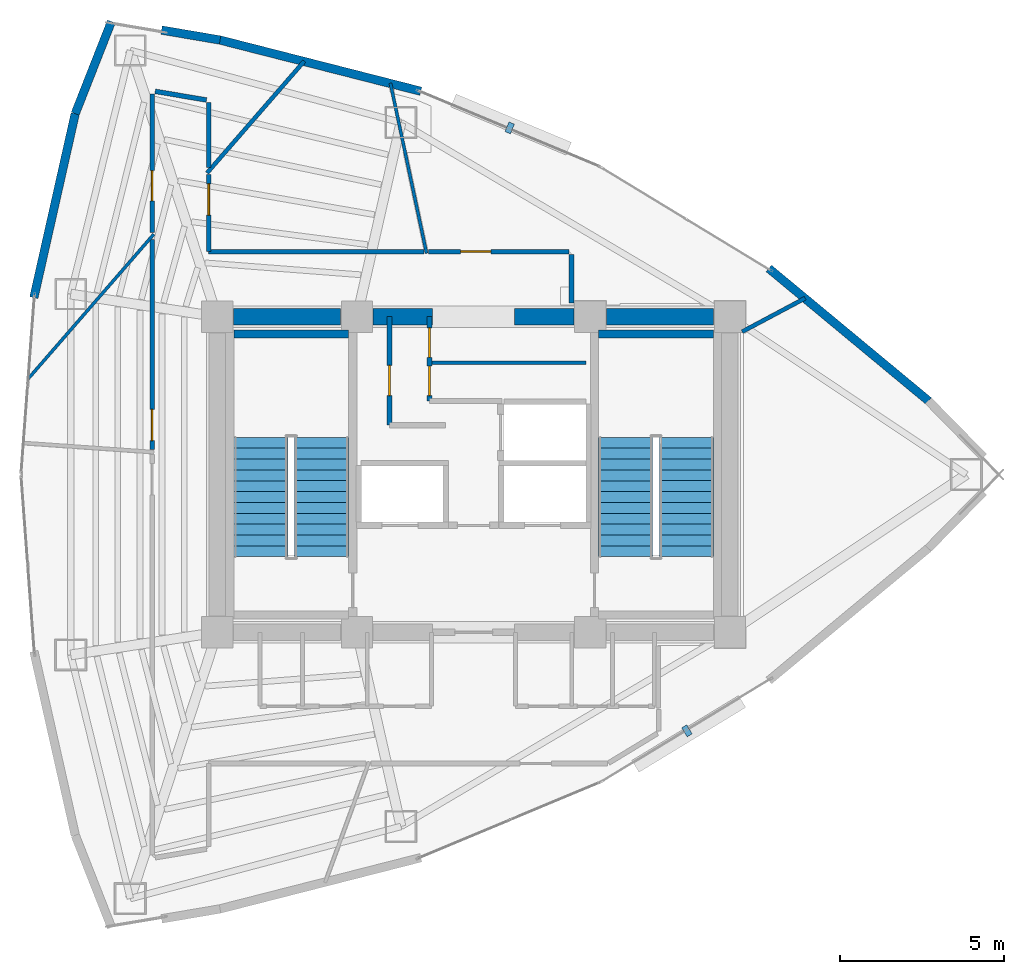
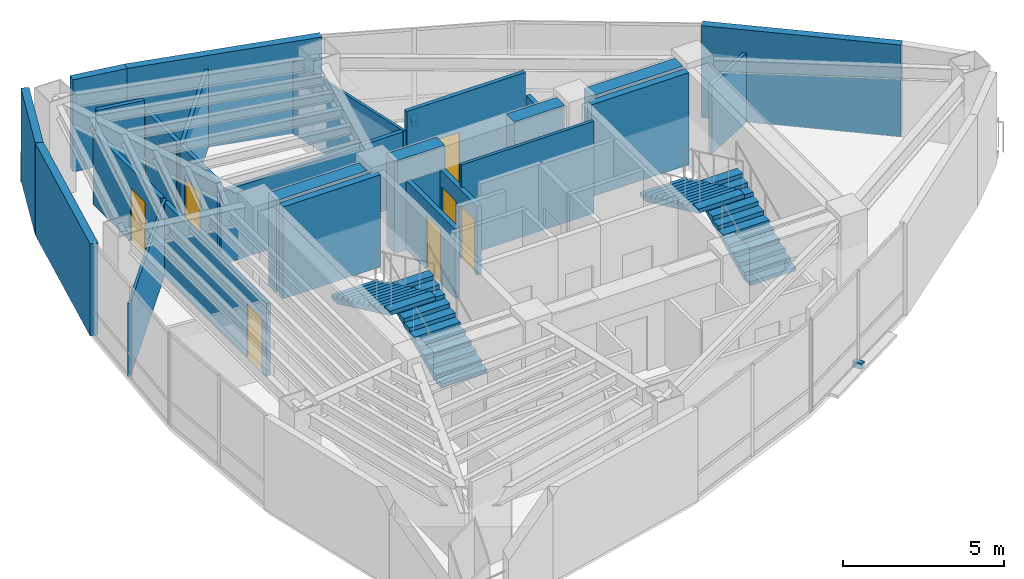
# One storey, part 13 of 15: 26 walls, 7 doors, 4 stair flights, 2 discrete accessories, 7 openings, 2 elements without a shape of their own.
"""IFC4 building model written with IfcOpenShell, lengths in metres."""

from ifc_helpers import new_model, si_unit, direction, frame, frame_2d, origin, origin_2d, place, context, subcontext, project, spatial, polyline, rectangle, outline, extrude, material, layer, layer_set, type_object, element, fill, aggregate, save


model = new_model("IFC4")

# Units and contexts
model_context = context("Model", 3, precision=1e-05, world=origin(), true_north=direction((0.0, 1.0)))
body_context = subcontext(model_context, "Body", "Model", "MODEL_VIEW")
ifc_project = project(units=[si_unit("LENGTHUNIT", "METRE"), si_unit("AREAUNIT", "SQUARE_METRE"), si_unit("VOLUMEUNIT", "CUBIC_METRE"), si_unit("PLANEANGLEUNIT", "RADIAN"), si_unit("MASSUNIT", "GRAM", prefix="KILO")], contexts=[model_context])

# Site, building, storey
site_placement = place(None, origin())
site = spatial("IfcSite", under=ifc_project, at=site_placement, CompositionType="ELEMENT")
building_placement = place(site_placement, origin())
building = spatial("IfcBuilding", under=site, at=building_placement, Name="Menara Vayukalpa", CompositionType="ELEMENT")
storey_placement = place(building_placement, frame((0.0, 0.0, 226.97998046875)))
storey = spatial("IfcBuildingStorey", under=building, at=storey_placement, Name="L57", CompositionType="ELEMENT", Elevation=226.97998046875)

# Walls
ifc_material_1 = material(Name="Concrete C60/75", Category="concrete")
ifc_layer_1 = layer(ifc_material_1, 0.5)
ifc_layer_set_1 = layer_set([ifc_layer_1], Name="Concrete C60/75")
wall_type_1 = type_object("IfcWallType", Name="WAL-CW500", PredefinedType="SHEAR", material=ifc_layer_set_1)
wall_1_placement = place(storey_placement, frame((18.294921875, 26.800048828125, 0.0), z_axis=(0.0, 0.0, 1.0), x_axis=(1.0, 0.0, 0.0)))
element("IfcWall", 1, at=wall_1_placement, inside=storey, type_object=wall_type_1, Name="L57 Buttressed Core Shear Wall CWN1", PredefinedType="SHEAR", context=body_context, shape_type="SweptSolid", body=[
    extrude(rectangle(XDim=3.260009765625, YDim=0.5, at=frame_2d((1.6298828125, 0.0))), origin(), (0.0, 0.0, 1.0), 3.5),
])
wall_2_placement = place(storey_placement, frame((22.544921875, 26.800048828125, 0.0), z_axis=(0.0, 0.0, 1.0), x_axis=(1.0, 0.0, 0.0)))
element("IfcWall", 2, at=wall_2_placement, inside=storey, type_object=wall_type_1, Name="L57 Buttressed Core Shear Wall CWN2", PredefinedType="SHEAR", context=body_context, shape_type="SweptSolid", body=[
    extrude(rectangle(XDim=1.80517578125, YDim=0.5, at=frame_2d((0.902587890625, 0.0))), origin(), (0.0, 0.0, 1.0), 3.5),
])
wall_3_placement = place(storey_placement, frame((26.85009765625, 26.800048828125, 0.0), z_axis=(0.0, 0.0, 1.0), x_axis=(1.0, 0.0, 0.0)))
element("IfcWall", 3, at=wall_3_placement, inside=storey, type_object=wall_type_1, Name="L57 Buttressed Core Shear Wall CWN3", PredefinedType="SHEAR", context=body_context, shape_type="SweptSolid", body=[
    extrude(rectangle(XDim=1.804931640625, YDim=0.5, at=frame_2d((0.90234375, 0.0))), origin(), (0.0, 0.0, 1.0), 3.5),
])
wall_4_placement = place(storey_placement, frame((29.64501953125, 26.800048828125, 0.0), z_axis=(0.0, 0.0, 1.0), x_axis=(1.0, 0.0, 0.0)))
element("IfcWall", 4, at=wall_4_placement, inside=storey, type_object=wall_type_1, Name="L57 Buttressed Core Shear Wall CWN4", PredefinedType="SHEAR", context=body_context, shape_type="SweptSolid", body=[
    extrude(rectangle(XDim=3.260009765625, YDim=0.5, at=frame_2d((1.6298828125, 0.0))), origin(), (0.0, 0.0, 1.0), 3.5),
])
ifc_material_2 = material(Name="Insulated Precast Concrete C40/50", Category="concrete")
ifc_layer_2 = layer(ifc_material_2, 0.260009765625)
ifc_layer_set_2 = layer_set([ifc_layer_2], Name="Insulated Precast Concrete C40/50")
wall_type_2 = type_object("IfcWallType", Name="WAL-EXT260", PredefinedType="PARTITIONING", material=ifc_layer_set_2)
wall_5_placement = place(storey_placement, frame((34.58251953125, 28.26953125, 0.0), z_axis=(0.0, 0.0, 1.0), x_axis=(0.769765373155, -0.638326930571, 0.0)))
element("IfcWall", 5, at=wall_5_placement, inside=storey, type_object=wall_type_2, Name="L57 Perimeter Terracotta Pier Wall 03", PredefinedType="PARTITIONING", context=body_context, shape_type="SweptSolid", body=[
    extrude(rectangle(XDim=6.3154296875, YDim=0.260009765625, at=frame_2d((3.15771484375, 0.0))), origin(), (0.0, 0.0, 1.0), 3.5),
])
wall_6_placement = place(storey_placement, frame((17.8759765625, 35.22216796875, 0.0), z_axis=(0.0, 0.0, 1.0), x_axis=(0.968976240439, -0.247153890246, 0.0)))
element("IfcWall", 6, at=wall_6_placement, inside=storey, type_object=wall_type_2, Name="L57 Perimeter Terracotta Pier Wall 06", PredefinedType="PARTITIONING", context=body_context, shape_type="SweptSolid", body=[
    extrude(rectangle(XDim=6.31494140625, YDim=0.260009765625, at=frame_2d((3.157470703125, 0.0))), origin(), (0.0, 0.0, 1.0), 3.5),
])
wall_7_placement = place(storey_placement, frame((16.10693359375, 35.52197265625, 0.0), z_axis=(0.0, 0.0, 1.0), x_axis=(0.985877723898, -0.167466753484, 0.0)))
element("IfcWall", 7, at=wall_7_placement, inside=storey, type_object=wall_type_2, Name="L57 Perimeter Terracotta Pier Wall 07", PredefinedType="PARTITIONING", context=body_context, shape_type="SweptSolid", body=[
    extrude(rectangle(XDim=1.80615234375, YDim=0.260009765625, at=frame_2d((0.903076171875, 0.0))), origin(), (0.0, 0.0, 1.0), 3.5),
])
wall_8_placement = place(storey_placement, frame((13.47900390625, 32.978515625, 0.0), z_axis=(0.0, 0.0, 1.0), x_axis=(0.365609724313, 0.930768246927, 0.0)))
element("IfcWall", 8, at=wall_8_placement, inside=storey, type_object=wall_type_2, Name="L57 Perimeter Terracotta Pier Wall 08", PredefinedType="PARTITIONING", context=body_context, shape_type="SweptSolid", body=[
    extrude(rectangle(XDim=3.010986328125, YDim=0.260009765625, at=frame_2d((1.50537109375, 0.0))), origin(), (0.0, 0.0, 1.0), 3.5),
])
wall_9_placement = place(storey_placement, frame((12.219970703125, 27.3818359375, 0.0), z_axis=(0.0, 0.0, 1.0), x_axis=(0.219475737697, 0.975617958303, 0.0)))
element("IfcWall", 9, at=wall_9_placement, inside=storey, type_object=wall_type_2, Name="L57 Perimeter Terracotta Pier Wall 09", PredefinedType="PARTITIONING", context=body_context, shape_type="SweptSolid", body=[
    extrude(rectangle(XDim=5.736572265625, YDim=0.260009765625, at=frame_2d((2.8681640625, 0.0))), origin(), (0.0, 0.0, 1.0), 3.5),
])

# Wall, opening, door
ifc_material_3 = material(Name="Lightweight Concrete Blockwork C16/20", Category="masonry")
ifc_layer_3 = layer(ifc_material_3, 0.159912109375)
ifc_layer_set_3 = layer_set([ifc_layer_3], Name="Lightweight Concrete Blockwork C16/20")
wall_type_3 = type_object("IfcWallType", Name="WAL-FR150", PredefinedType="PARTITIONING", material=ifc_layer_set_3)
wall_10_placement = place(storey_placement, frame((23.0400390625, 23.5, 0.0), z_axis=(0.0, 0.0, 1.0), x_axis=(0.0, 1.0, 0.0)))
wall_10 = element("IfcWall", 10, at=wall_10_placement, inside=storey, type_object=wall_type_3, Name="L57 Interior Partition IW-L57-LV7WB", PredefinedType="PARTITIONING", context=body_context, shape_type="SweptSolid", body=[
    extrude(rectangle(XDim=3.300048828125, YDim=0.159912109375, at=frame_2d((1.64990234375, 0.0))), origin(), (0.0, 0.0, 1.0), 2.630126953125),
])
opening_1_placement = place(wall_10_placement, frame((0.89990234375, 0.0, 0.0)))
opening_1 = element("IfcOpeningElement", 11, at=opening_1_placement, cuts=wall_10, Name="Opening ID6", PredefinedType="OPENING", context=body_context, shape_type="SweptSolid", body=[
    extrude(rectangle(XDim=0.919921875, YDim=2.050048828125, at=frame_2d((0.4599609375, 1.02490234375))), frame((0.0, 0.08984375, 0.0), z_axis=(0.0, -1.0, 0.0), x_axis=(1.0, 0.0, 0.0)), (0.0, 0.0, 1.0), 0.179931640625),
])
ifc_material_4 = material(Name="Acoustic Hardwood Veneer Timber Door", Category="wood")
door_type_1 = type_object("IfcDoorType", Name="DR-INT92", OperationType="NOTDEFINED", PredefinedType="DOOR", material=ifc_material_4)
door_1_placement = place(opening_1_placement, origin())
door_1 = element("IfcDoor", 12, at=door_1_placement, inside=storey, type_object=door_type_1, Name="L57 Interior Door DR-L57-LV7W", OperationType="SINGLE_SWING_RIGHT", OverallHeight=2.050048828125, OverallWidth=0.919921875, PredefinedType="DOOR", context=body_context, shape_type="SweptSolid", body=[
    extrude(rectangle(XDim=0.919921875, YDim=2.050048828125, at=frame_2d((0.4599609375, 1.02490234375))), frame((0.0, 0.02490234375, 0.0), z_axis=(0.0, -1.0, 0.0), x_axis=(1.0, 0.0, 0.0)), (0.0, 0.0, 1.0), 0.050048828125),
])
fill(opening_1, door_1)

# Wall, openings, doors
wall_11_placement = place(storey_placement, frame((24.260009765625, 24.239990234375, 0.0), z_axis=(0.0, 0.0, 1.0), x_axis=(0.0, 1.0, 0.0)))
wall_11 = element("IfcWall", 13, at=wall_11_placement, inside=storey, type_object=wall_type_3, Name="L57 Interior Partition IW-L57-LV7EB", PredefinedType="PARTITIONING", context=body_context, shape_type="SweptSolid", body=[
    extrude(rectangle(XDim=2.56005859375, YDim=0.159912109375, at=frame_2d((1.280029296875, 0.0))), origin(), (0.0, 0.0, 1.0), 2.630126953125),
])
opening_2_placement = place(wall_11_placement, frame((0.159912109375, 0.0, 0.0)))
opening_2 = element("IfcOpeningElement", 14, at=opening_2_placement, cuts=wall_11, Name="Opening ID7", PredefinedType="OPENING", context=body_context, shape_type="SweptSolid", body=[
    extrude(rectangle(XDim=0.89990234375, YDim=2.02001953125, at=frame_2d((0.449951171875, 1.010009765625))), frame((0.0, 0.08984375, 0.0), z_axis=(0.0, -1.0, 0.0), x_axis=(1.0, 0.0, 0.0)), (0.0, 0.0, 1.0), 0.179931640625),
])
opening_3_placement = place(wall_11_placement, frame((1.320068359375, 0.0, 0.0)))
opening_3 = element("IfcOpeningElement", 15, at=opening_3_placement, cuts=wall_11, Name="Opening ID7", PredefinedType="OPENING", context=body_context, shape_type="SweptSolid", body=[
    extrude(rectangle(XDim=0.89990234375, YDim=2.02001953125, at=frame_2d((0.449951171875, 1.010009765625))), frame((0.0, 0.08984375, 0.0), z_axis=(0.0, -1.0, 0.0), x_axis=(1.0, 0.0, 0.0)), (0.0, 0.0, 1.0), 0.179931640625),
])
ifc_material_5 = material(Name="Powder-Coated Steel Riser Access Door", Category="steel")
door_type_2 = type_object("IfcDoorType", Name="DR-RISER", OperationType="NOTDEFINED", PredefinedType="DOOR", material=ifc_material_5)
door_2_placement = place(opening_2_placement, origin())
door_2 = element("IfcDoor", 16, at=door_2_placement, inside=storey, type_object=door_type_2, Name="L57 Interior Door DR-L57-LV7E1", OperationType="SINGLE_SWING_LEFT", OverallHeight=2.02001953125, OverallWidth=0.89990234375, PredefinedType="DOOR", context=body_context, shape_type="SweptSolid", body=[
    extrude(rectangle(XDim=0.89990234375, YDim=2.02001953125, at=frame_2d((0.449951171875, 1.010009765625))), frame((0.0, 0.02490234375, 0.0), z_axis=(0.0, -1.0, 0.0), x_axis=(1.0, 0.0, 0.0)), (0.0, 0.0, 1.0), 0.050048828125),
])
fill(opening_2, door_2)
door_3_placement = place(opening_3_placement, origin())
door_3 = element("IfcDoor", 17, at=door_3_placement, inside=storey, type_object=door_type_2, Name="L57 Interior Door DR-L57-LV7E2", OperationType="SINGLE_SWING_RIGHT", OverallHeight=2.02001953125, OverallWidth=0.89990234375, PredefinedType="DOOR", context=body_context, shape_type="SweptSolid", body=[
    extrude(rectangle(XDim=0.89990234375, YDim=2.02001953125, at=frame_2d((0.449951171875, 1.010009765625))), frame((0.0, 0.02490234375, 0.0), z_axis=(0.0, -1.0, 0.0), x_axis=(1.0, 0.0, 0.0)), (0.0, 0.0, 1.0), 0.050048828125),
])
fill(opening_3, door_3)

# Walls
ifc_material_6 = material(Name="Glazed Demountable Office Partition", Category="glass")
ifc_layer_4 = layer(ifc_material_6, 0.094970703125)
ifc_layer_set_4 = layer_set([ifc_layer_4], Name="Glazed Demountable Office Partition")
wall_type_4 = type_object("IfcWallType", Name="WAL-PT100", PredefinedType="PARTITIONING", material=ifc_layer_set_4)
wall_12_placement = place(storey_placement, frame((24.16943359375, 28.72998046875, 0.0), z_axis=(0.0, 0.0, 1.0), x_axis=(-0.207906743577, 0.978148652289, 0.0)))
element("IfcWall", 18, at=wall_12_placement, inside=storey, type_object=wall_type_4, Name="L57 Interior Partition IW-L57-RDIV02", PredefinedType="PARTITIONING", context=body_context, shape_type="SweptSolid", body=[
    extrude(rectangle(XDim=5.293701171875, YDim=0.094970703125, at=frame_2d((2.64697265625, 0.0))), origin(), (0.0, 0.0, 1.0), 2.780029296875),
])
wall_13_placement = place(storey_placement, frame((15.8701171875, 29.310302734375, 0.0), z_axis=(0.0, 0.0, 1.0), x_axis=(-0.656058606017, -0.754709947908, 0.0)))
element("IfcWall", 19, at=wall_13_placement, inside=storey, type_object=wall_type_4, Name="L57 Interior Partition IW-L57-RDIV06", PredefinedType="PARTITIONING", context=body_context, shape_type="SweptSolid", body=[
    extrude(rectangle(XDim=5.837890625, YDim=0.094970703125, at=frame_2d((2.9189453125, 0.0))), origin(), (0.0, 0.0, 1.0), 2.780029296875),
])
ifc_material_7 = material(Name="Acoustic Mineral Stud Partition", Category="masonry")
ifc_layer_5 = layer(ifc_material_7, 0.110107421875)
ifc_layer_set_5 = layer_set([ifc_layer_5], Name="Acoustic Mineral Stud Partition")
wall_type_5 = type_object("IfcWallType", Name="WAL-PT110", PredefinedType="PARTITIONING", material=ifc_layer_set_5)
wall_14_placement = place(storey_placement, frame((24.260009765625, 25.39990234375, 0.0), z_axis=(0.0, 0.0, 1.0), x_axis=(1.0, 0.0, 0.0)))
element("IfcWall", 20, at=wall_14_placement, inside=storey, type_object=wall_type_5, Name="L57 Interior Partition IW-L57-LV7EM", PredefinedType="PARTITIONING", context=body_context, shape_type="SweptSolid", body=[
    extrude(rectangle(XDim=4.760009765625, YDim=0.110107421875, at=frame_2d((2.3798828125, 0.0))), origin(), (0.0, 0.0, 1.0), 3.5),
])
ifc_material_8 = material(Name="Gypsum Drywall Steel Stud Assembly", Category="steel")
ifc_layer_6 = layer(ifc_material_8, 0.125)
ifc_layer_set_6 = layer_set([ifc_layer_6], Name="Gypsum Drywall Steel Stud Assembly")
wall_type_6 = type_object("IfcWallType", Name="WAL-PT125", PredefinedType="PARTITIONING", material=ifc_layer_set_6)
wall_15_placement = place(storey_placement, frame((33.77001953125, 26.343994140625, 0.0), z_axis=(0.0, 0.0, 1.0), x_axis=(0.882914984083, 0.469532885837, 0.0)))
element("IfcWall", 21, at=wall_15_placement, inside=storey, type_object=wall_type_6, Name="L57 Interior Partition IW-L57-RDIV01", PredefinedType="PARTITIONING", context=body_context, shape_type="SweptSolid", body=[
    extrude(rectangle(XDim=2.174072265625, YDim=0.125, at=frame_2d((1.0869140625, 0.0))), origin(), (0.0, 0.0, 1.0), 2.630126953125),
])
wall_16_placement = place(storey_placement, frame((20.447998046875, 34.576416015625, 0.0), z_axis=(0.0, 0.0, 1.0), x_axis=(-0.656082183715, -0.754689451505, 0.0)))
element("IfcWall", 22, at=wall_16_placement, inside=storey, type_object=wall_type_6, Name="L57 Interior Partition IW-L57-RDIV05", PredefinedType="PARTITIONING", context=body_context, shape_type="SweptSolid", body=[
    extrude(rectangle(XDim=4.508544921875, YDim=0.125, at=frame_2d((2.25439453125, 0.0))), origin(), (0.0, 0.0, 1.0), 2.97998046875),
])
ifc_material_9 = material(Name="Gypsum Drywall Acoustic Stud Assembly", Category="masonry")
ifc_layer_7 = layer(ifc_material_9, 0.14501953125)
ifc_layer_set_7 = layer_set([ifc_layer_7], Name="Gypsum Drywall Acoustic Stud Assembly")
wall_type_7 = type_object("IfcWallType", Name="WAL-PT150", PredefinedType="PARTITIONING", material=ifc_layer_set_7)
wall_17_placement = place(storey_placement, frame((28.580078125, 27.219970703125, 0.0), z_axis=(0.0, 0.0, 1.0), x_axis=(0.0, 1.0, 0.0)))
element("IfcWall", 23, at=wall_17_placement, inside=storey, type_object=wall_type_7, Name="L57 Interior Partition IW-L57-CRM04-1", PredefinedType="PARTITIONING", context=body_context, shape_type="SweptSolid", body=[
    extrude(rectangle(XDim=1.47998046875, YDim=0.14501953125, at=frame_2d((0.739990234375, 0.0))), origin(), (0.0, 0.0, 1.0), 2.630126953125),
])

# Wall, opening, door
wall_18_placement = place(storey_placement, frame((28.5, 28.780029296875, 0.0), z_axis=(0.0, 0.0, 1.0), x_axis=(-1.0, 0.0, 0.0)))
wall_18 = element("IfcWall", 24, at=wall_18_placement, inside=storey, type_object=wall_type_7, Name="L57 Interior Partition IW-L57-CRM04-2", PredefinedType="PARTITIONING", context=body_context, shape_type="SweptSolid", body=[
    extrude(rectangle(XDim=4.26953125, YDim=0.14501953125, at=frame_2d((2.134765625, 0.0))), origin(), (0.0, 0.0, 1.0), 3.5),
])
opening_4_placement = place(wall_18_placement, frame((2.372314453125, 0.0, 0.0)))
opening_4 = element("IfcOpeningElement", 25, at=opening_4_placement, cuts=wall_18, Name="Opening ID6", PredefinedType="OPENING", context=body_context, shape_type="SweptSolid", body=[
    extrude(rectangle(XDim=0.919921875, YDim=2.050048828125, at=frame_2d((0.4599609375, 1.02490234375))), frame((0.0, 0.08251953125, 0.0), z_axis=(0.0, -1.0, 0.0), x_axis=(1.0, 0.0, 0.0)), (0.0, 0.0, 1.0), 0.1650390625),
])
door_4_placement = place(opening_4_placement, origin())
door_4 = element("IfcDoor", 26, at=door_4_placement, inside=storey, type_object=door_type_1, Name="L57 Interior Door DR-L57-RM04", OperationType="SINGLE_SWING_LEFT", OverallHeight=2.050048828125, OverallWidth=0.919921875, PredefinedType="DOOR", context=body_context, shape_type="SweptSolid", body=[
    extrude(rectangle(XDim=0.919921875, YDim=2.050048828125, at=frame_2d((0.4599609375, 1.02490234375))), frame((0.0, 0.02490234375, 0.0), z_axis=(0.0, -1.0, 0.0), x_axis=(1.0, 0.0, 0.0)), (0.0, 0.0, 1.0), 0.050048828125),
])
fill(opening_4, door_4)

# Wall
wall_19_placement = place(storey_placement, frame((24.08740234375, 28.780029296875, 0.0), z_axis=(0.0, 0.0, 1.0), x_axis=(-1.0, 0.0, 0.0)))
element("IfcWall", 27, at=wall_19_placement, inside=storey, type_object=wall_type_7, Name="L57 Interior Partition IW-L57-CRM05-1", PredefinedType="PARTITIONING", context=body_context, shape_type="SweptSolid", body=[
    extrude(rectangle(XDim=6.54736328125, YDim=0.14501953125, at=frame_2d((3.273681640625, 0.0))), origin(), (0.0, 0.0, 1.0), 2.780029296875),
])

# Wall, opening, door
wall_20_placement = place(storey_placement, frame((17.5400390625, 28.780029296875, 0.0), z_axis=(0.0, 0.0, 1.0), x_axis=(0.0, 1.0, 0.0)))
wall_20 = element("IfcWall", 28, at=wall_20_placement, inside=storey, type_object=wall_type_7, Name="L57 Interior Partition IW-L57-CRM05-2", PredefinedType="PARTITIONING", context=body_context, shape_type="SweptSolid", body=[
    extrude(rectangle(XDim=2.344970703125, YDim=0.14501953125, at=frame_2d((1.17236328125, 0.0))), origin(), (0.0, 0.0, 1.0), 3.130126953125),
])
opening_5_placement = place(wall_20_placement, frame((1.114990234375, 0.0, 0.0)))
opening_5 = element("IfcOpeningElement", 29, at=opening_5_placement, cuts=wall_20, Name="Opening ID5", PredefinedType="OPENING", context=body_context, shape_type="SweptSolid", body=[
    extrude(rectangle(XDim=0.949951171875, YDim=2.06005859375, at=frame_2d((0.47509765625, 1.030029296875))), frame((0.0, 0.08251953125, 0.0), z_axis=(0.0, -1.0, 0.0), x_axis=(1.0, 0.0, 0.0)), (0.0, 0.0, 1.0), 0.1650390625),
])
ifc_material_10 = material(Name="Acoustic Hardwood Veneer Timber Door", Category="wood")
door_type_3 = type_object("IfcDoorType", Name="DR-INT95", OperationType="NOTDEFINED", PredefinedType="DOOR", material=ifc_material_10)
door_5_placement = place(opening_5_placement, origin())
door_5 = element("IfcDoor", 30, at=door_5_placement, inside=storey, type_object=door_type_3, Name="L57 Interior Door DR-L57-RM05", OperationType="SINGLE_SWING_RIGHT", OverallHeight=2.06005859375, OverallWidth=0.949951171875, PredefinedType="DOOR", context=body_context, shape_type="SweptSolid", body=[
    extrude(rectangle(XDim=0.949951171875, YDim=2.06005859375, at=frame_2d((0.47509765625, 1.030029296875))), frame((0.0, 0.02490234375, 0.0), z_axis=(0.0, -1.0, 0.0), x_axis=(1.0, 0.0, 0.0)), (0.0, 0.0, 1.0), 0.050048828125),
])
fill(opening_5, door_5)

# Walls
wall_21_placement = place(storey_placement, frame((17.5400390625, 31.337890625, 0.0), z_axis=(0.0, 0.0, 1.0), x_axis=(0.0, 1.0, 0.0)))
element("IfcWall", 31, at=wall_21_placement, inside=storey, type_object=wall_type_7, Name="L57 Interior Partition IW-L57-CRM06-1", PredefinedType="PARTITIONING", context=body_context, shape_type="SweptSolid", body=[
    extrude(rectangle(XDim=1.976318359375, YDim=0.14501953125, at=frame_2d((0.98828125, 0.0))), origin(), (0.0, 0.0, 1.0), 3.130126953125),
])
wall_22_placement = place(storey_placement, frame((17.473388671875, 33.393310546875, 0.0), z_axis=(0.0, 0.0, 1.0), x_axis=(-0.985914419316, 0.167250583809, 0.0)))
element("IfcWall", 32, at=wall_22_placement, inside=storey, type_object=wall_type_7, Name="L57 Interior Partition IW-L57-CRM06-2", PredefinedType="PARTITIONING", context=body_context, shape_type="SweptSolid", body=[
    extrude(rectangle(XDim=1.582275390625, YDim=0.14501953125, at=frame_2d((0.791015625, 0.0))), origin(), (0.0, 0.0, 1.0), 3.5),
])

# Wall, opening, door
wall_23_placement = place(storey_placement, frame((15.820068359375, 33.5791015625, 0.0), z_axis=(0.0, 0.0, 1.0), x_axis=(0.0, -1.0, 0.0)))
wall_23 = element("IfcWall", 33, at=wall_23_placement, inside=storey, type_object=wall_type_7, Name="L57 Interior Partition IW-L57-CRM06-3", PredefinedType="PARTITIONING", context=body_context, shape_type="SweptSolid", body=[
    extrude(rectangle(XDim=4.219970703125, YDim=0.14501953125, at=frame_2d((2.10986328125, 0.0))), origin(), (0.0, 0.0, 1.0), 2.780029296875),
])
opening_6_placement = place(wall_23_placement, frame((2.3349609375, 0.0, 0.0)))
opening_6 = element("IfcOpeningElement", 34, at=opening_6_placement, cuts=wall_23, Name="Opening ID6", PredefinedType="OPENING", context=body_context, shape_type="SweptSolid", body=[
    extrude(rectangle(XDim=0.919921875, YDim=2.050048828125, at=frame_2d((0.4599609375, 1.02490234375))), frame((0.0, 0.08251953125, 0.0), z_axis=(0.0, -1.0, 0.0), x_axis=(1.0, 0.0, 0.0)), (0.0, 0.0, 1.0), 0.1650390625),
])
door_6_placement = place(opening_6_placement, origin())
door_6 = element("IfcDoor", 35, at=door_6_placement, inside=storey, type_object=door_type_1, Name="L57 Interior Door DR-L57-RM06", OperationType="SINGLE_SWING_LEFT", OverallHeight=2.050048828125, OverallWidth=0.919921875, PredefinedType="DOOR", context=body_context, shape_type="SweptSolid", body=[
    extrude(rectangle(XDim=0.919921875, YDim=2.050048828125, at=frame_2d((0.4599609375, 1.02490234375))), frame((0.0, 0.02490234375, 0.0), z_axis=(0.0, -1.0, 0.0), x_axis=(1.0, 0.0, 0.0)), (0.0, 0.0, 1.0), 0.050048828125),
])
fill(opening_6, door_6)

wall_24_placement = place(storey_placement, frame((15.820068359375, 29.14599609375, 0.0), z_axis=(0.0, 0.0, 1.0), x_axis=(0.0, -1.0, 0.0)))
wall_24 = element("IfcWall", 36, at=wall_24_placement, inside=storey, type_object=wall_type_7, Name="L57 Interior Partition IW-L57-CRM07-1", PredefinedType="PARTITIONING", context=body_context, shape_type="SweptSolid", body=[
    extrude(rectangle(XDim=6.391845703125, YDim=0.14501953125, at=frame_2d((3.19580078125, 0.0))), origin(), (0.0, 0.0, 1.0), 2.780029296875),
])
opening_7_placement = place(wall_24_placement, frame((5.161865234375, 0.0, 0.0)))
opening_7 = element("IfcOpeningElement", 37, at=opening_7_placement, cuts=wall_24, Name="Opening ID5", PredefinedType="OPENING", context=body_context, shape_type="SweptSolid", body=[
    extrude(rectangle(XDim=0.949951171875, YDim=2.06005859375, at=frame_2d((0.47509765625, 1.030029296875))), frame((0.0, 0.08251953125, 0.0), z_axis=(0.0, -1.0, 0.0), x_axis=(1.0, 0.0, 0.0)), (0.0, 0.0, 1.0), 0.1650390625),
])
door_7_placement = place(opening_7_placement, origin())
door_7 = element("IfcDoor", 38, at=door_7_placement, inside=storey, type_object=door_type_3, Name="L57 Interior Door DR-L57-RM07", OperationType="SINGLE_SWING_RIGHT", OverallHeight=2.06005859375, OverallWidth=0.949951171875, PredefinedType="DOOR", context=body_context, shape_type="SweptSolid", body=[
    extrude(rectangle(XDim=0.949951171875, YDim=2.06005859375, at=frame_2d((0.47509765625, 1.030029296875))), frame((0.0, 0.02490234375, 0.0), z_axis=(0.0, -1.0, 0.0), x_axis=(1.0, 0.0, 0.0)), (0.0, 0.0, 1.0), 0.050048828125),
])
fill(opening_7, door_7)

# Walls
ifc_material_11 = material(Name="Concrete C50/60", Category="concrete")
ifc_layer_8 = layer(ifc_material_11, 0.25)
ifc_layer_set_8 = layer_set([ifc_layer_8], Name="Concrete C50/60")
wall_type_8 = type_object("IfcWallType", Name="WAL-SW250", PredefinedType="SHEAR", material=ifc_layer_set_8)
for number, where, z_axis, x_axis, name in (
    (39, (18.303955078125, 26.27490234375, 0.0), (0.0, 0.0, 1.0), (1.0, 0.0, 0.0), "L57 ST1 Structural Stair Shaft Wall N"),
    (40, (29.39990234375, 26.27490234375, 0.0), (0.0, 0.0, 1.0), (1.0, 0.0, 0.0), "L57 ST2 Structural Stair Shaft Wall N"),
):
    element("IfcWall", number, at=place(storey_placement, frame(where, z_axis=z_axis, x_axis=x_axis)), inside=storey, type_object=wall_type_8, Name=name, PredefinedType="SHEAR", context=body_context, shape_type="SweptSolid", body=[
        extrude(rectangle(XDim=3.49609375, YDim=0.25, at=frame_2d((1.748046875, 0.0))), origin(), (0.0, 0.0, 1.0), 3.5),
    ])

# Stair, stair flights
ifc_material_12 = material(Name="Precast Concrete C40/50", Category="concrete")
stair_type = type_object("IfcStairType", Name="STR-T04", PredefinedType="DOUBLE_RETURN_STAIR", material=ifc_material_12)
stair_1_placement = place(storey_placement, origin())
stair_1 = element("IfcStair", 41, at=stair_1_placement, inside=storey, type_object=stair_type, Name="L57 Core Exit Stair ST-1", PredefinedType="DOUBLE_RETURN_STAIR")
ifc_material_13 = material(Name="Precast Concrete C40/50", Category="concrete")
stair_flight_type = type_object("IfcStairFlightType", Name="STF-T04", PredefinedType="STRAIGHT", material=ifc_material_13)
stair_flight_1_placement = place(storey_placement, frame((20.97509765625, 19.5, 0.0), z_axis=(0.0, 0.0, 1.0), x_axis=(0.0, 1.0, 0.0)))
stair_flight_1 = element("IfcStairFlight", 42, at=stair_flight_1_placement, type_object=stair_flight_type, Name="ST-1 flight 1", NumberOfRisers=12, NumberOfTreads=11, PredefinedType="STRAIGHT", RiserHeight=0.155, TreadLength=0.33, context=body_context, shape_type="SweptSolid", body=[
    extrude(outline(polyline([(0.0, 0.0), (0.0, 0.155029296875), (0.330078125, 0.155029296875), (0.330078125, 0.31005859375), (0.659912109375, 0.31005859375), (0.659912109375, 0.465087890625), (0.989990234375, 0.465087890625), (0.989990234375, 0.6201171875), (1.320068359375, 0.6201171875), (1.320068359375, 0.77490234375), (1.64990234375, 0.77490234375), (1.64990234375, 0.929931640625), (1.97998046875, 0.929931640625), (1.97998046875, 1.0849609375), (2.31005859375, 1.0849609375), (2.31005859375, 1.239990234375), (2.639892578125, 1.239990234375), (2.639892578125, 1.39501953125), (2.969970703125, 1.39501953125), (2.969970703125, 1.550048828125), (3.300048828125, 1.550048828125), (3.300048828125, 1.705078125), (3.6298828125, 1.705078125), (3.6298828125, 1.860107421875), (3.6298828125, 1.539306640625), (0.3525390625, 0.0), (0.0, 0.0)])), frame((0.0, 0.824951171875, 0.0), z_axis=(0.0, -1.0, 0.0), x_axis=(1.0, 0.0, 0.0)), (0.0, 0.0, 1.0), 1.64990234375),
])
stair_flight_2_placement = place(storey_placement, frame((19.125, 23.1298828125, 1.860107421875), z_axis=(0.0, 0.0, 1.0), x_axis=(0.0, -1.0, 0.0)))
stair_flight_2 = element("IfcStairFlight", 43, at=stair_flight_2_placement, type_object=stair_flight_type, Name="ST-1 flight 2", NumberOfRisers=12, NumberOfTreads=11, PredefinedType="STRAIGHT", RiserHeight=0.155, TreadLength=0.33, context=body_context, shape_type="SweptSolid", body=[
    extrude(outline(polyline([(0.0, 0.0), (0.0, 0.155029296875), (0.330078125, 0.155029296875), (0.330078125, 0.31005859375), (0.659912109375, 0.31005859375), (0.659912109375, 0.465087890625), (0.989990234375, 0.465087890625), (0.989990234375, 0.6201171875), (1.320068359375, 0.6201171875), (1.320068359375, 0.77490234375), (1.64990234375, 0.77490234375), (1.64990234375, 0.929931640625), (1.97998046875, 0.929931640625), (1.97998046875, 1.0849609375), (2.31005859375, 1.0849609375), (2.31005859375, 1.239990234375), (2.639892578125, 1.239990234375), (2.639892578125, 1.39501953125), (2.969970703125, 1.39501953125), (2.969970703125, 1.550048828125), (3.300048828125, 1.550048828125), (3.300048828125, 1.705078125), (3.6298828125, 1.705078125), (3.6298828125, 1.860107421875), (3.6298828125, 1.539306640625), (0.3525390625, 0.0), (0.0, 0.0)])), frame((0.0, 0.824951171875, 0.0), z_axis=(0.0, -1.0, 0.0), x_axis=(1.0, 0.0, 0.0)), (0.0, 0.0, 1.0), 1.64990234375),
])
aggregate(stair_1, [stair_flight_1, stair_flight_2])

stair_2_placement = place(storey_placement, origin())
stair_2 = element("IfcStair", 44, at=stair_2_placement, inside=storey, type_object=stair_type, Name="L57 Core Exit Stair ST-2", PredefinedType="DOUBLE_RETURN_STAIR")
stair_flight_3_placement = place(storey_placement, frame((32.074951171875, 19.5, 0.0), z_axis=(0.0, 0.0, 1.0), x_axis=(0.0, 1.0, 0.0)))
stair_flight_3 = element("IfcStairFlight", 45, at=stair_flight_3_placement, type_object=stair_flight_type, Name="ST-2 flight 1", NumberOfRisers=12, NumberOfTreads=11, PredefinedType="STRAIGHT", RiserHeight=0.155, TreadLength=0.33, context=body_context, shape_type="SweptSolid", body=[
    extrude(outline(polyline([(0.0, 0.0), (0.0, 0.155029296875), (0.330078125, 0.155029296875), (0.330078125, 0.31005859375), (0.659912109375, 0.31005859375), (0.659912109375, 0.465087890625), (0.989990234375, 0.465087890625), (0.989990234375, 0.6201171875), (1.320068359375, 0.6201171875), (1.320068359375, 0.77490234375), (1.64990234375, 0.77490234375), (1.64990234375, 0.929931640625), (1.97998046875, 0.929931640625), (1.97998046875, 1.0849609375), (2.31005859375, 1.0849609375), (2.31005859375, 1.239990234375), (2.639892578125, 1.239990234375), (2.639892578125, 1.39501953125), (2.969970703125, 1.39501953125), (2.969970703125, 1.550048828125), (3.300048828125, 1.550048828125), (3.300048828125, 1.705078125), (3.6298828125, 1.705078125), (3.6298828125, 1.860107421875), (3.6298828125, 1.539306640625), (0.3525390625, 0.0), (0.0, 0.0)])), frame((0.0, 0.824951171875, 0.0), z_axis=(0.0, -1.0, 0.0), x_axis=(1.0, 0.0, 0.0)), (0.0, 0.0, 1.0), 1.64990234375),
])
stair_flight_4_placement = place(storey_placement, frame((30.22509765625, 23.1298828125, 1.860107421875), z_axis=(0.0, 0.0, 1.0), x_axis=(0.0, -1.0, 0.0)))
stair_flight_4 = element("IfcStairFlight", 46, at=stair_flight_4_placement, type_object=stair_flight_type, Name="ST-2 flight 2", NumberOfRisers=12, NumberOfTreads=11, PredefinedType="STRAIGHT", RiserHeight=0.155, TreadLength=0.33, context=body_context, shape_type="SweptSolid", body=[
    extrude(outline(polyline([(0.0, 0.0), (0.0, 0.155029296875), (0.330078125, 0.155029296875), (0.330078125, 0.31005859375), (0.659912109375, 0.31005859375), (0.659912109375, 0.465087890625), (0.989990234375, 0.465087890625), (0.989990234375, 0.6201171875), (1.320068359375, 0.6201171875), (1.320068359375, 0.77490234375), (1.64990234375, 0.77490234375), (1.64990234375, 0.929931640625), (1.97998046875, 0.929931640625), (1.97998046875, 1.0849609375), (2.31005859375, 1.0849609375), (2.31005859375, 1.239990234375), (2.639892578125, 1.239990234375), (2.639892578125, 1.39501953125), (2.969970703125, 1.39501953125), (2.969970703125, 1.550048828125), (3.300048828125, 1.550048828125), (3.300048828125, 1.705078125), (3.6298828125, 1.705078125), (3.6298828125, 1.860107421875), (3.6298828125, 1.539306640625), (0.3525390625, 0.0), (0.0, 0.0)])), frame((0.0, 0.824951171875, 0.0), z_axis=(0.0, -1.0, 0.0), x_axis=(1.0, 0.0, 0.0)), (0.0, 0.0, 1.0), 1.64990234375),
])
aggregate(stair_2, [stair_flight_3, stair_flight_4])

# Discrete accessories
ifc_material_14 = material(Name="Stainless Steel 316 Sunshade Bracket", Category="steel")
discrete_accessory_type = type_object("IfcDiscreteAccessoryType", Name="ACC-BRK1", PredefinedType="BRACKET", material=ifc_material_14)
for number, where, z_axis, x_axis, name in (
    (47, (26.69775390625, 32.5458984375, -0.16015625), (0.0, 0.0, 1.0), (-0.922538089456, 0.385906042324, 0.0), "L57 Terracotta Sunshade Bracket 05"),
    (48, (32.091064453125, 14.20068359375, -0.16015625), (0.0, 0.0, 1.0), (0.85466730962, 0.519176068272, 0.0), "L57 Terracotta Sunshade Bracket 17"),
):
    element("IfcDiscreteAccessory", number, at=place(storey_placement, frame(where, z_axis=z_axis, x_axis=x_axis)), inside=storey, type_object=discrete_accessory_type, Name=name, PredefinedType="BRACKET", context=body_context, shape_type="SweptSolid", body=[
        extrude(rectangle(XDim=0.179931640625, YDim=0.320068359375, at=origin_2d()), origin(), (0.0, 0.0, 1.0), 0.219970703125),
    ])

save(model, "model.ifc")
